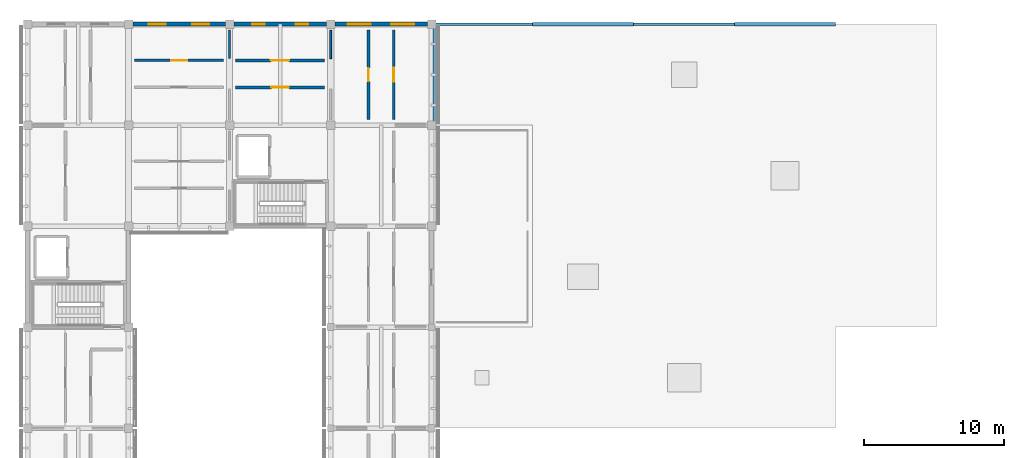
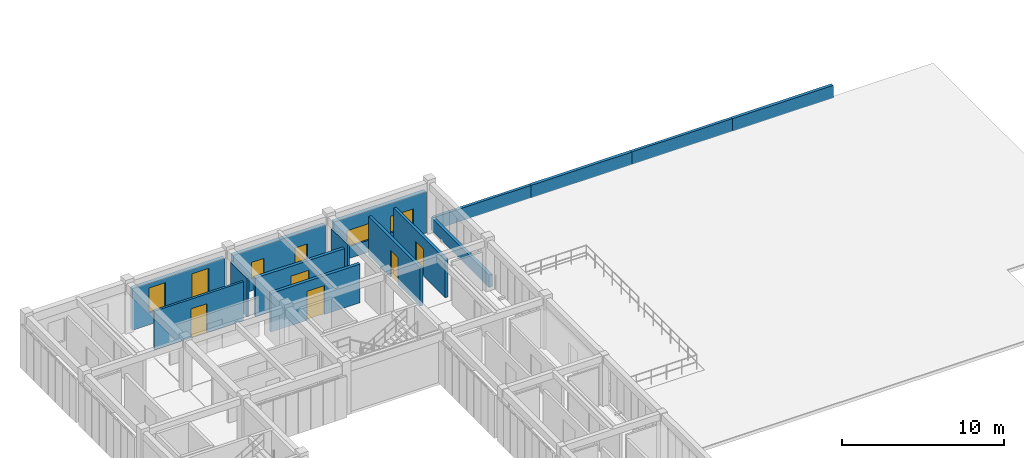
# One storey, part 56 of 67: 15 walls, 6 windows, 5 doors, 11 openings.
"""IFC4 building model written with IfcOpenShell, lengths in metres."""

from ifc_helpers import new_model, si_unit, direction, frame, frame_2d, origin, place, context, subcontext, project, spatial, rectangle, extrude, material, layer, layer_set, type_object, element, fill, save


model = new_model("IFC4")

# Units and contexts
model_context = context("Model", 3, precision=1e-05, world=origin(), true_north=direction((0.0, 1.0)))
body_context = subcontext(model_context, "Body", "Model", "MODEL_VIEW")
ifc_project = project(units=[si_unit("LENGTHUNIT", "METRE"), si_unit("AREAUNIT", "SQUARE_METRE"), si_unit("VOLUMEUNIT", "CUBIC_METRE"), si_unit("PLANEANGLEUNIT", "RADIAN"), si_unit("MASSUNIT", "GRAM", prefix="KILO")], contexts=[model_context])

# Site, building, storey
site_placement = place(None, origin())
site = spatial("IfcSite", under=ifc_project, at=site_placement, CompositionType="ELEMENT")
building_placement = place(site_placement, origin())
building = spatial("IfcBuilding", under=site, at=building_placement, Name="Aldebral Square Health Centre", CompositionType="ELEMENT")
storey_placement = place(building_placement, frame((0.0, 0.0, 13.5)))
storey = spatial("IfcBuildingStorey", under=building, at=storey_placement, Name="L03", CompositionType="ELEMENT", Elevation=13.5)

# Wall, openings, windows
ifc_material_1 = material(Name="Ochre mineral-rendered concrete C35/45 court wall", Category="concrete")
ifc_layer_1 = layer(ifc_material_1, 0.280029296875, Name="Ochre mineral-rendered concrete C35/45 court wall", Category="concrete")
ifc_layer_set_1 = layer_set([ifc_layer_1], Name="Ochre mineral-rendered concrete C35/45 court wall")
wall_type_1 = type_object("IfcWallType", Name="EW-OCH-280", PredefinedType="STANDARD", material=ifc_layer_set_1)
wall_1_placement = place(storey_placement, frame((14.10009765625, 115.199951171875, 0.0), z_axis=(0.0, 0.0, 1.0), x_axis=(-1.0, 0.0, 0.0)))
wall_1 = element("IfcWall", 1, at=wall_1_placement, inside=storey, type_object=wall_type_1, Name="L03 V4 exterior wall L03-V4-01-15-N", PredefinedType="STANDARD", context=body_context, shape_type="SweptSolid", body=[
    extrude(rectangle(XDim=6.60009765625, YDim=0.280029296875, at=frame_2d((3.300048828125, 0.0))), origin(), (0.0, 0.0, 1.0), 3.139892578125),
])
opening_1_placement = place(wall_1_placement, frame((1.14990234375, 0.0, 0.89990234375)))
opening_1 = element("IfcOpeningElement", 2, at=opening_1_placement, cuts=wall_1, Name="Opening W48", PredefinedType="OPENING", context=body_context, shape_type="SweptSolid", body=[
    extrude(rectangle(XDim=1.199951171875, YDim=1.8798828125, at=frame_2d((0.60009765625, 0.93994140625))), frame((0.0, 0.14990234375, 0.0), z_axis=(0.0, -1.0, 0.0), x_axis=(1.0, 0.0, 0.0)), (0.0, 0.0, 1.0), 0.300048828125),
])
opening_2_placement = place(wall_1_placement, frame((4.25, 0.0, 0.89990234375)))
opening_2 = element("IfcOpeningElement", 3, at=opening_2_placement, cuts=wall_1, Name="Opening W48", PredefinedType="OPENING", context=body_context, shape_type="SweptSolid", body=[
    extrude(rectangle(XDim=1.199951171875, YDim=1.8798828125, at=frame_2d((0.60009765625, 0.93994140625))), frame((0.0, 0.14990234375, 0.0), z_axis=(0.0, -1.0, 0.0), x_axis=(1.0, 0.0, 0.0)), (0.0, 0.0, 1.0), 0.300048828125),
])
ifc_material_2 = material(Name="Thermally broken aluminium and low-E glass", Category="aluminium")
window_type_1 = type_object("IfcWindowType", Name="WIN-W48", PartitioningType="SINGLE_PANEL", PredefinedType="WINDOW", material=ifc_material_2)
window_1_placement = place(opening_1_placement, origin())
window_1 = element("IfcWindow", 4, at=window_1_placement, inside=storey, type_object=window_type_1, Name="L03 clinical window L03-V4-01-15-N.1", OverallHeight=1.8798828125, OverallWidth=1.199951171875, PartitioningType="SINGLE_PANEL", PredefinedType="WINDOW", context=body_context, shape_type="SweptSolid", body=[
    extrude(rectangle(XDim=1.199951171875, YDim=1.8798828125, at=frame_2d((0.60009765625, 0.93994140625))), frame((0.0, 0.030029296875, 0.0), z_axis=(0.0, -1.0, 0.0), x_axis=(1.0, 0.0, 0.0)), (0.0, 0.0, 1.0), 0.06005859375),
])
fill(opening_1, window_1)
window_2_placement = place(opening_2_placement, origin())
window_2 = element("IfcWindow", 5, at=window_2_placement, inside=storey, type_object=window_type_1, Name="L03 clinical window L03-V4-01-15-N.2", OverallHeight=1.8798828125, OverallWidth=1.199951171875, PartitioningType="SINGLE_PANEL", PredefinedType="WINDOW", context=body_context, shape_type="SweptSolid", body=[
    extrude(rectangle(XDim=1.199951171875, YDim=1.8798828125, at=frame_2d((0.60009765625, 0.93994140625))), frame((0.0, 0.030029296875, 0.0), z_axis=(0.0, -1.0, 0.0), x_axis=(1.0, 0.0, 0.0)), (0.0, 0.0, 1.0), 0.06005859375),
])
fill(opening_2, window_2)

wall_2_placement = place(storey_placement, frame((21.300048828125, 115.199951171875, 0.0), z_axis=(0.0, 0.0, 1.0), x_axis=(-1.0, 0.0, 0.0)))
wall_2 = element("IfcWall", 6, at=wall_2_placement, inside=storey, type_object=wall_type_1, Name="L03 V4 exterior wall L03-V4-02-15-N", PredefinedType="STANDARD", context=body_context, shape_type="SweptSolid", body=[
    extrude(rectangle(XDim=6.60009765625, YDim=0.280029296875, at=frame_2d((3.300048828125, 0.0))), origin(), (0.0, 0.0, 1.0), 3.139892578125),
])
opening_3_placement = place(wall_2_placement, frame((1.300048828125, 0.0, 0.89990234375)))
opening_3 = element("IfcOpeningElement", 7, at=opening_3_placement, cuts=wall_2, Name="Opening W01", PredefinedType="OPENING", context=body_context, shape_type="SweptSolid", body=[
    extrude(rectangle(XDim=0.89990234375, YDim=1.25, at=frame_2d((0.449951171875, 0.625))), frame((0.0, 0.14990234375, 0.0), z_axis=(0.0, -1.0, 0.0), x_axis=(1.0, 0.0, 0.0)), (0.0, 0.0, 1.0), 0.300048828125),
])
opening_4_placement = place(wall_2_placement, frame((4.39990234375, 0.0, 0.89990234375)))
opening_4 = element("IfcOpeningElement", 8, at=opening_4_placement, cuts=wall_2, Name="Opening W01", PredefinedType="OPENING", context=body_context, shape_type="SweptSolid", body=[
    extrude(rectangle(XDim=0.89990234375, YDim=1.25, at=frame_2d((0.449951171875, 0.625))), frame((0.0, 0.14990234375, 0.0), z_axis=(0.0, -1.0, 0.0), x_axis=(1.0, 0.0, 0.0)), (0.0, 0.0, 1.0), 0.300048828125),
])
window_type_2 = type_object("IfcWindowType", Name="WIN-W01", PartitioningType="SINGLE_PANEL", PredefinedType="WINDOW", material=ifc_material_2)
window_3_placement = place(opening_3_placement, origin())
window_3 = element("IfcWindow", 9, at=window_3_placement, inside=storey, type_object=window_type_2, Name="L03 clinical window L03-V4-02-15-N.1", OverallHeight=1.25, OverallWidth=0.89990234375, PartitioningType="SINGLE_PANEL", PredefinedType="WINDOW", context=body_context, shape_type="SweptSolid", body=[
    extrude(rectangle(XDim=0.89990234375, YDim=1.25, at=frame_2d((0.449951171875, 0.625))), frame((0.0, 0.030029296875, 0.0), z_axis=(0.0, -1.0, 0.0), x_axis=(1.0, 0.0, 0.0)), (0.0, 0.0, 1.0), 0.06005859375),
])
fill(opening_3, window_3)
window_4_placement = place(opening_4_placement, origin())
window_4 = element("IfcWindow", 10, at=window_4_placement, inside=storey, type_object=window_type_2, Name="L03 clinical window L03-V4-02-15-N.2", OverallHeight=1.25, OverallWidth=0.89990234375, PartitioningType="SINGLE_PANEL", PredefinedType="WINDOW", context=body_context, shape_type="SweptSolid", body=[
    extrude(rectangle(XDim=0.89990234375, YDim=1.25, at=frame_2d((0.449951171875, 0.625))), frame((0.0, 0.030029296875, 0.0), z_axis=(0.0, -1.0, 0.0), x_axis=(1.0, 0.0, 0.0)), (0.0, 0.0, 1.0), 0.06005859375),
])
fill(opening_4, window_4)

wall_3_placement = place(storey_placement, frame((28.5, 115.199951171875, 0.0), z_axis=(0.0, 0.0, 1.0), x_axis=(-1.0, 0.0, 0.0)))
wall_3 = element("IfcWall", 11, at=wall_3_placement, inside=storey, type_object=wall_type_1, Name="L03 V4 exterior wall L03-V4-03-15-N", PredefinedType="STANDARD", context=body_context, shape_type="SweptSolid", body=[
    extrude(rectangle(XDim=6.60009765625, YDim=0.280029296875, at=frame_2d((3.300048828125, 0.0))), origin(), (0.0, 0.0, 1.0), 3.139892578125),
])
opening_5_placement = place(wall_3_placement, frame((0.925048828125, 0.0, 0.89990234375)))
opening_5 = element("IfcOpeningElement", 12, at=opening_5_placement, cuts=wall_3, Name="Opening W06", PredefinedType="OPENING", context=body_context, shape_type="SweptSolid", body=[
    extrude(rectangle(XDim=1.64990234375, YDim=1.25, at=frame_2d((0.824951171875, 0.625))), frame((0.0, 0.14990234375, 0.0), z_axis=(0.0, -1.0, 0.0), x_axis=(1.0, 0.0, 0.0)), (0.0, 0.0, 1.0), 0.300048828125),
])
opening_6_placement = place(wall_3_placement, frame((4.02490234375, 0.0, 0.89990234375)))
opening_6 = element("IfcOpeningElement", 13, at=opening_6_placement, cuts=wall_3, Name="Opening W06", PredefinedType="OPENING", context=body_context, shape_type="SweptSolid", body=[
    extrude(rectangle(XDim=1.64990234375, YDim=1.25, at=frame_2d((0.824951171875, 0.625))), frame((0.0, 0.14990234375, 0.0), z_axis=(0.0, -1.0, 0.0), x_axis=(1.0, 0.0, 0.0)), (0.0, 0.0, 1.0), 0.300048828125),
])
window_type_3 = type_object("IfcWindowType", Name="WIN-W06", PartitioningType="SINGLE_PANEL", PredefinedType="WINDOW", material=ifc_material_2)
window_5_placement = place(opening_5_placement, origin())
window_5 = element("IfcWindow", 14, at=window_5_placement, inside=storey, type_object=window_type_3, Name="L03 clinical window L03-V4-03-15-N.1", OverallHeight=1.25, OverallWidth=1.64990234375, PartitioningType="SINGLE_PANEL", PredefinedType="WINDOW", context=body_context, shape_type="SweptSolid", body=[
    extrude(rectangle(XDim=1.64990234375, YDim=1.25, at=frame_2d((0.824951171875, 0.625))), frame((0.0, 0.030029296875, 0.0), z_axis=(0.0, -1.0, 0.0), x_axis=(1.0, 0.0, 0.0)), (0.0, 0.0, 1.0), 0.06005859375),
])
fill(opening_5, window_5)
window_6_placement = place(opening_6_placement, origin())
window_6 = element("IfcWindow", 15, at=window_6_placement, inside=storey, type_object=window_type_3, Name="L03 clinical window L03-V4-03-15-N.2", OverallHeight=1.25, OverallWidth=1.64990234375, PartitioningType="SINGLE_PANEL", PredefinedType="WINDOW", context=body_context, shape_type="SweptSolid", body=[
    extrude(rectangle(XDim=1.64990234375, YDim=1.25, at=frame_2d((0.824951171875, 0.625))), frame((0.0, 0.030029296875, 0.0), z_axis=(0.0, -1.0, 0.0), x_axis=(1.0, 0.0, 0.0)), (0.0, 0.0, 1.0), 0.06005859375),
])
fill(opening_6, window_6)

# Walls
ifc_material_3 = material(Name="Cream cantera stone parapet", Category="masonry")
ifc_layer_2 = layer(ifc_material_3, 0.199951171875, Name="Cream cantera stone parapet", Category="masonry")
ifc_layer_set_2 = layer_set([ifc_layer_2], Name="Cream cantera stone parapet")
wall_type_2 = type_object("IfcWallType", Name="EW-PAR-200", PredefinedType="PARAPET", material=ifc_layer_set_2)
wall_4_placement = place(storey_placement, frame((29.02001953125, 115.199951171875, 0.0), z_axis=(0.0, 0.0, 1.0), x_axis=(1.0, 0.0, 0.0)))
element("IfcWall", 16, at=wall_4_placement, inside=storey, type_object=wall_type_2, Name="Roof parapet 13", PredefinedType="PARAPET", context=body_context, shape_type="SweptSolid", body=[
    extrude(rectangle(XDim=6.97998046875, YDim=0.199951171875, at=frame_2d((3.489990234375, 0.0))), origin(), (0.0, 0.0, 1.0), 0.949951171875),
])
wall_5_placement = place(storey_placement, frame((43.199951171875, 115.199951171875, 0.0), z_axis=(0.0, 0.0, 1.0), x_axis=(1.0, 0.0, 0.0)))
element("IfcWall", 17, at=wall_5_placement, inside=storey, type_object=wall_type_2, Name="Roof parapet 15", PredefinedType="PARAPET", context=body_context, shape_type="SweptSolid", body=[
    extrude(rectangle(XDim=7.199951171875, YDim=0.199951171875, at=frame_2d((3.60009765625, 0.0))), origin(), (0.0, 0.0, 1.0), 0.949951171875),
])
ifc_material_4 = material(Name="Precast concrete C40/50 parapet", Category="concrete")
ifc_layer_3 = layer(ifc_material_4, 0.219970703125, Name="Precast concrete C40/50 parapet", Category="concrete")
ifc_layer_set_3 = layer_set([ifc_layer_3], Name="Precast concrete C40/50 parapet")
wall_type_3 = type_object("IfcWallType", Name="EW-PAR-220", PredefinedType="PARAPET", material=ifc_layer_set_3)
for number, where, z_axis, x_axis, name in (
    (18, (29.02001953125, 108.0, 0.0), (0.0, 0.0, 1.0), (0.0, 1.0, 0.0), "Roof parapet 12"),
    (19, (36.0, 115.199951171875, 0.0), (0.0, 0.0, 1.0), (1.0, 0.0, 0.0), "Roof parapet 14"),
):
    element("IfcWall", number, at=place(storey_placement, frame(where, z_axis=z_axis, x_axis=x_axis)), inside=storey, type_object=wall_type_3, Name=name, PredefinedType="PARAPET", context=body_context, shape_type="SweptSolid", body=[
        extrude(rectangle(XDim=7.199951171875, YDim=0.219970703125, at=frame_2d((3.60009765625, 0.0))), origin(), (0.0, 0.0, 1.0), 0.949951171875),
    ])
wall_6_placement = place(storey_placement, frame((50.39990234375, 115.199951171875, 0.0), z_axis=(0.0, 0.0, 1.0), x_axis=(1.0, 0.0, 0.0)))
element("IfcWall", 20, at=wall_6_placement, inside=storey, type_object=wall_type_3, Name="Roof parapet 16", PredefinedType="PARAPET", context=body_context, shape_type="SweptSolid", body=[
    extrude(rectangle(XDim=7.2001953125, YDim=0.219970703125, at=frame_2d((3.60009765625, 0.0))), origin(), (0.0, 0.0, 1.0), 0.949951171875),
])

# Wall, opening, door
ifc_material_5 = material(Name="Concrete C35/45 compartment wall", Category="concrete")
ifc_layer_4 = layer(ifc_material_5, 0.199951171875, Name="Concrete C35/45 compartment wall", Category="concrete")
ifc_layer_set_4 = layer_set([ifc_layer_4], Name="Concrete C35/45 compartment wall")
wall_type_4 = type_object("IfcWallType", Name="IW-CMP-200", PredefinedType="SOLIDWALL", material=ifc_layer_set_4)
wall_7_placement = place(storey_placement, frame((26.10009765625, 108.419921875, 0.0), z_axis=(0.0, 0.0, 1.0), x_axis=(0.0, 1.0, 0.0)))
wall_7 = element("IfcWall", 21, at=wall_7_placement, inside=storey, type_object=wall_type_4, Name="L03 Dental Clinic Operatory 4.16E corridor wall", PredefinedType="SOLIDWALL", context=body_context, shape_type="SweptSolid", body=[
    extrude(rectangle(XDim=6.360107421875, YDim=0.199951171875, at=frame_2d((3.18017578125, 0.0))), origin(), (0.0, 0.0, 1.0), 2.929931640625),
])
opening_7_placement = place(wall_7_placement, frame((2.68994140625, 0.0, 0.0)))
opening_7 = element("IfcOpeningElement", 22, at=opening_7_placement, cuts=wall_7, Name="Opening D-0569", PredefinedType="OPENING", context=body_context, shape_type="SweptSolid", body=[
    extrude(rectangle(XDim=0.97998046875, YDim=2.0400390625, at=frame_2d((0.489990234375, 1.02001953125))), frame((0.0, 0.10986328125, 0.0), z_axis=(0.0, -1.0, 0.0), x_axis=(1.0, 0.0, 0.0)), (0.0, 0.0, 1.0), 0.219970703125),
])
ifc_material_6 = material(Name="Clinical suite fire door")
door_type_1 = type_object("IfcDoorType", Name="ID-EXD-02", OperationType="NOTDEFINED", PredefinedType="DOOR", material=ifc_material_6)
door_1_placement = place(opening_7_placement, origin())
door_1 = element("IfcDoor", 23, at=door_1_placement, inside=storey, type_object=door_type_1, Name="L03 Dental Clinic Operatory 4.16E door", OperationType="SINGLE_SWING_RIGHT", OverallHeight=2.0400390625, OverallWidth=0.97998046875, PredefinedType="DOOR", context=body_context, shape_type="SweptSolid", body=[
    extrude(rectangle(XDim=0.97998046875, YDim=2.0400390625, at=frame_2d((0.489990234375, 1.02001953125))), frame((0.0, 0.02490234375, 0.0), z_axis=(0.0, -1.0, 0.0), x_axis=(1.0, 0.0, 0.0)), (0.0, 0.0, 1.0), 0.050048828125),
])
fill(opening_7, door_1)

ifc_layer_5 = layer(ifc_material_5, 0.219970703125, Name="Concrete C35/45 compartment wall", Category="concrete")
ifc_layer_set_5 = layer_set([ifc_layer_5], Name="Concrete C35/45 compartment wall")
wall_type_5 = type_object("IfcWallType", Name="IW-CMP-220", PredefinedType="SOLIDWALL", material=ifc_layer_set_5)
wall_8_placement = place(storey_placement, frame((14.820068359375, 110.699951171875, 0.0), z_axis=(0.0, 0.0, 1.0), x_axis=(1.0, 0.0, 0.0)))
wall_8 = element("IfcWall", 24, at=wall_8_placement, inside=storey, type_object=wall_type_5, Name="L03 Dental Clinic Operatory 3.16S corridor wall", PredefinedType="SOLIDWALL", context=body_context, shape_type="SweptSolid", body=[
    extrude(rectangle(XDim=6.35986328125, YDim=0.219970703125, at=frame_2d((3.179931640625, 0.0))), origin(), (0.0, 0.0, 1.0), 2.929931640625),
])
opening_8_placement = place(wall_8_placement, frame((2.550048828125, 0.0, 0.0)))
opening_8 = element("IfcOpeningElement", 25, at=opening_8_placement, cuts=wall_8, Name="Opening D-0555", PredefinedType="OPENING", context=body_context, shape_type="SweptSolid", body=[
    extrude(rectangle(XDim=1.260009765625, YDim=2.18994140625, at=frame_2d((0.6298828125, 1.094970703125))), frame((0.0, 0.1201171875, 0.0), z_axis=(0.0, -1.0, 0.0), x_axis=(1.0, 0.0, 0.0)), (0.0, 0.0, 1.0), 0.239990234375),
])
door_type_2 = type_object("IfcDoorType", Name="ID-EXD-57", OperationType="NOTDEFINED", PredefinedType="DOOR", material=ifc_material_6)
door_2_placement = place(opening_8_placement, origin())
door_2 = element("IfcDoor", 26, at=door_2_placement, inside=storey, type_object=door_type_2, Name="L03 Dental Clinic Operatory 3.16S door", OperationType="SINGLE_SWING_RIGHT", OverallHeight=2.18994140625, OverallWidth=1.260009765625, PredefinedType="DOOR", context=body_context, shape_type="SweptSolid", body=[
    extrude(rectangle(XDim=1.260009765625, YDim=2.18994140625, at=frame_2d((0.6298828125, 1.094970703125))), frame((0.0, 0.02490234375, 0.0), z_axis=(0.0, -1.0, 0.0), x_axis=(1.0, 0.0, 0.0)), (0.0, 0.0, 1.0), 0.050048828125),
])
fill(opening_8, door_2)

wall_9_placement = place(storey_placement, frame((14.820068359375, 112.6201171875, 0.0), z_axis=(0.0, 0.0, 1.0), x_axis=(1.0, 0.0, 0.0)))
wall_9 = element("IfcWall", 27, at=wall_9_placement, inside=storey, type_object=wall_type_5, Name="L03 Dental Sterilization Room 3.16N corridor wall", PredefinedType="SOLIDWALL", context=body_context, shape_type="SweptSolid", body=[
    extrude(rectangle(XDim=6.35986328125, YDim=0.219970703125, at=frame_2d((3.179931640625, 0.0))), origin(), (0.0, 0.0, 1.0), 2.929931640625),
])
opening_9_placement = place(wall_9_placement, frame((2.530029296875, 0.0, 0.0)))
opening_9 = element("IfcOpeningElement", 28, at=opening_9_placement, cuts=wall_9, Name="Opening D-0556", PredefinedType="OPENING", context=body_context, shape_type="SweptSolid", body=[
    extrude(rectangle(XDim=1.300048828125, YDim=2.18994140625, at=frame_2d((0.64990234375, 1.094970703125))), frame((0.0, 0.1201171875, 0.0), z_axis=(0.0, -1.0, 0.0), x_axis=(1.0, 0.0, 0.0)), (0.0, 0.0, 1.0), 0.239990234375),
])
door_type_3 = type_object("IfcDoorType", Name="ID-EXD-58", OperationType="NOTDEFINED", PredefinedType="DOOR", material=ifc_material_6)
door_3_placement = place(opening_9_placement, origin())
door_3 = element("IfcDoor", 29, at=door_3_placement, inside=storey, type_object=door_type_3, Name="L03 Dental Sterilization Room 3.16N door", OperationType="SINGLE_SWING_LEFT", OverallHeight=2.18994140625, OverallWidth=1.300048828125, PredefinedType="DOOR", context=body_context, shape_type="SweptSolid", body=[
    extrude(rectangle(XDim=1.300048828125, YDim=2.18994140625, at=frame_2d((0.64990234375, 1.094970703125))), frame((0.0, 0.02490234375, 0.0), z_axis=(0.0, -1.0, 0.0), x_axis=(1.0, 0.0, 0.0)), (0.0, 0.0, 1.0), 0.050048828125),
])
fill(opening_9, door_3)

ifc_material_7 = material(Name="Fire-rated acoustic gypsum partition")
ifc_layer_6 = layer(ifc_material_7, 0.1650390625, Name="Fire-rated acoustic gypsum partition")
ifc_layer_set_6 = layer_set([ifc_layer_6], Name="Fire-rated acoustic gypsum partition")
wall_type_6 = type_object("IfcWallType", Name="IW-COR-165", PredefinedType="PARTITIONING", material=ifc_layer_set_6)
wall_10_placement = place(storey_placement, frame((7.6201171875, 112.6201171875, 0.0), z_axis=(0.0, 0.0, 1.0), x_axis=(1.0, 0.0, 0.0)))
wall_10 = element("IfcWall", 30, at=wall_10_placement, inside=storey, type_object=wall_type_6, Name="L03 Paediatric Examination Room 2.16N corridor wall", PredefinedType="PARTITIONING", context=body_context, shape_type="SweptSolid", body=[
    extrude(rectangle(XDim=6.35986328125, YDim=0.1650390625, at=frame_2d((3.179931640625, 0.0))), origin(), (0.0, 0.0, 1.0), 2.929931640625),
])
opening_10_placement = place(wall_10_placement, frame((2.610107421875, 0.0, 0.0)))
opening_10 = element("IfcOpeningElement", 31, at=opening_10_placement, cuts=wall_10, Name="Opening D-0552", PredefinedType="OPENING", context=body_context, shape_type="SweptSolid", body=[
    extrude(rectangle(XDim=1.139892578125, YDim=2.18994140625, at=frame_2d((0.56982421875, 1.094970703125))), frame((0.0, 0.092529296875, 0.0), z_axis=(0.0, -1.0, 0.0), x_axis=(1.0, 0.0, 0.0)), (0.0, 0.0, 1.0), 0.18505859375),
])
door_type_4 = type_object("IfcDoorType", Name="ID-EXD-54", OperationType="NOTDEFINED", PredefinedType="DOOR", material=ifc_material_6)
door_4_placement = place(opening_10_placement, origin())
door_4 = element("IfcDoor", 32, at=door_4_placement, inside=storey, type_object=door_type_4, Name="L03 Paediatric Examination Room 2.16N door", OperationType="SINGLE_SWING_LEFT", OverallHeight=2.18994140625, OverallWidth=1.139892578125, PredefinedType="DOOR", context=body_context, shape_type="SweptSolid", body=[
    extrude(rectangle(XDim=1.139892578125, YDim=2.18994140625, at=frame_2d((0.56982421875, 1.094970703125))), frame((0.0, 0.02490234375, 0.0), z_axis=(0.0, -1.0, 0.0), x_axis=(1.0, 0.0, 0.0)), (0.0, 0.0, 1.0), 0.050048828125),
])
fill(opening_10, door_4)

ifc_material_8 = material(Name="Moisture-resistant sanitary chase wall")
ifc_layer_7 = layer(ifc_material_8, 0.2099609375, Name="Moisture-resistant sanitary chase wall")
ifc_layer_set_7 = layer_set([ifc_layer_7], Name="Moisture-resistant sanitary chase wall")
wall_type_7 = type_object("IfcWallType", Name="IW-PLB-210", PredefinedType="PLUMBINGWALL", material=ifc_layer_set_7)
wall_11_placement = place(storey_placement, frame((24.300048828125, 108.419921875, 0.0), z_axis=(0.0, 0.0, 1.0), x_axis=(0.0, 1.0, 0.0)))
wall_11 = element("IfcWall", 33, at=wall_11_placement, inside=storey, type_object=wall_type_7, Name="L03 Staff Toilet 4.16W corridor wall", PredefinedType="PLUMBINGWALL", context=body_context, shape_type="SweptSolid", body=[
    extrude(rectangle(XDim=6.360107421875, YDim=0.2099609375, at=frame_2d((3.18017578125, 0.0))), origin(), (0.0, 0.0, 1.0), 2.929931640625),
])
opening_11_placement = place(wall_11_placement, frame((2.7099609375, 0.0, 0.0)))
opening_11 = element("IfcOpeningElement", 34, at=opening_11_placement, cuts=wall_11, Name="Opening D-0568", PredefinedType="OPENING", context=body_context, shape_type="SweptSolid", body=[
    extrude(rectangle(XDim=0.93994140625, YDim=2.0400390625, at=frame_2d((0.469970703125, 1.02001953125))), frame((0.0, 0.114990234375, 0.0), z_axis=(0.0, -1.0, 0.0), x_axis=(1.0, 0.0, 0.0)), (0.0, 0.0, 1.0), 0.22998046875),
])
door_type_5 = type_object("IfcDoorType", Name="ID-EXD-01", OperationType="NOTDEFINED", PredefinedType="DOOR", material=ifc_material_6)
door_5_placement = place(opening_11_placement, origin())
door_5 = element("IfcDoor", 35, at=door_5_placement, inside=storey, type_object=door_type_5, Name="L03 Staff Toilet 4.16W door", OperationType="SINGLE_SWING_LEFT", OverallHeight=2.0400390625, OverallWidth=0.93994140625, PredefinedType="DOOR", context=body_context, shape_type="SweptSolid", body=[
    extrude(rectangle(XDim=0.93994140625, YDim=2.0400390625, at=frame_2d((0.469970703125, 1.02001953125))), frame((0.0, 0.02490234375, 0.0), z_axis=(0.0, -1.0, 0.0), x_axis=(1.0, 0.0, 0.0)), (0.0, 0.0, 1.0), 0.050048828125),
])
fill(opening_11, door_5)

# Walls
ifc_material_9 = material(Name="Acoustic clinical gypsum partition")
ifc_layer_8 = layer(ifc_material_9, 0.135009765625, Name="Acoustic clinical gypsum partition")
ifc_layer_set_8 = layer_set([ifc_layer_8], Name="Acoustic clinical gypsum partition")
wall_type_8 = type_object("IfcWallType", Name="IW-PRT-135", PredefinedType="PARTITIONING", material=ifc_layer_set_8)
wall_12_placement = place(storey_placement, frame((21.60009765625, 112.739990234375, 0.0), z_axis=(0.0, 0.0, 1.0), x_axis=(0.0, 1.0, 0.0)))
element("IfcWall", 36, at=wall_12_placement, inside=storey, type_object=wall_type_8, Name="L03 Dental Sterilization Room 3.16N demising partition", PredefinedType="PARTITIONING", context=body_context, shape_type="SweptSolid", body=[
    extrude(rectangle(XDim=2.0400390625, YDim=0.135009765625, at=frame_2d((1.02001953125, 0.0))), origin(), (0.0, 0.0, 1.0), 2.929931640625),
])
ifc_layer_9 = layer(ifc_material_9, 0.14990234375, Name="Acoustic clinical gypsum partition")
ifc_layer_set_9 = layer_set([ifc_layer_9], Name="Acoustic clinical gypsum partition")
wall_type_9 = type_object("IfcWallType", Name="IW-PRT-150", PredefinedType="PARTITIONING", material=ifc_layer_set_9)
wall_13_placement = place(storey_placement, frame((14.39990234375, 112.739990234375, 0.0), z_axis=(0.0, 0.0, 1.0), x_axis=(0.0, 1.0, 0.0)))
element("IfcWall", 37, at=wall_13_placement, inside=storey, type_object=wall_type_9, Name="L03 Paediatric Examination Room 2.16N demising partition", PredefinedType="PARTITIONING", context=body_context, shape_type="SweptSolid", body=[
    extrude(rectangle(XDim=2.0400390625, YDim=0.14990234375, at=frame_2d((1.02001953125, 0.0))), origin(), (0.0, 0.0, 1.0), 2.929931640625),
])

save(model, "model.ifc")
